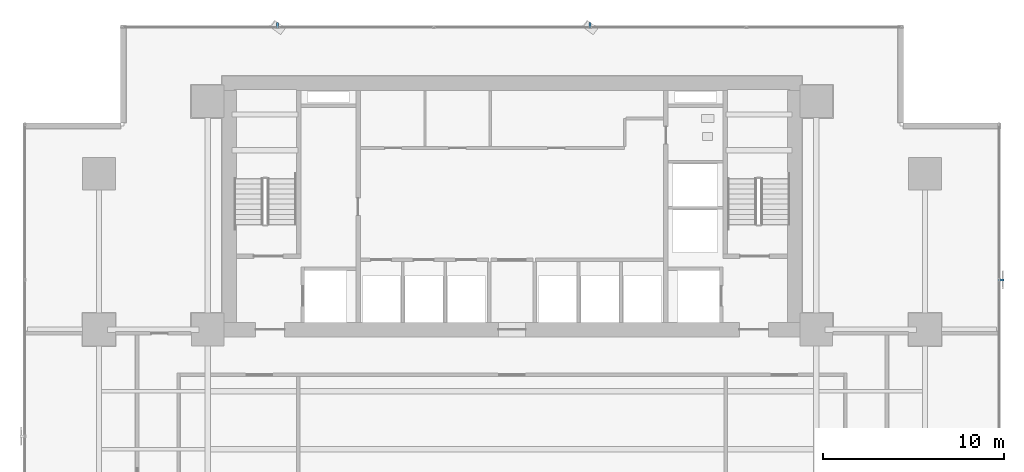
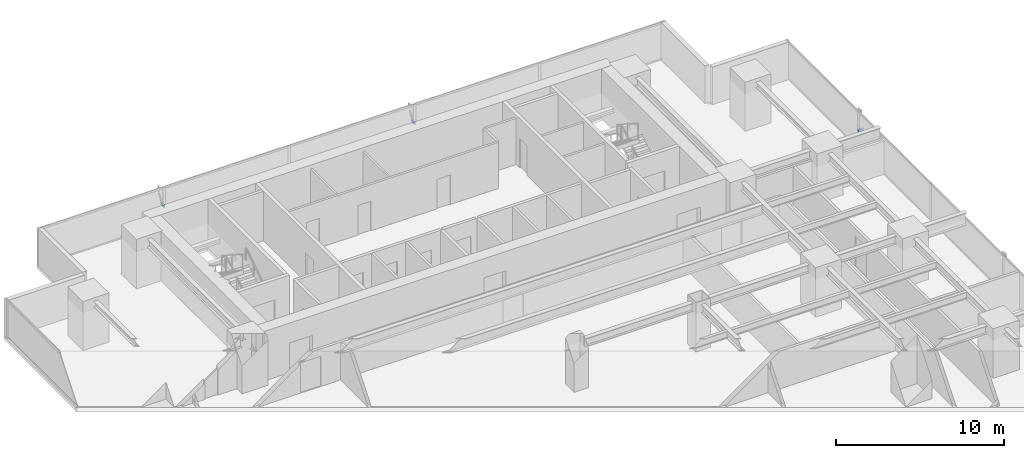
# One storey, part 28 of 33: 3 discrete accessories.
"""IFC4 building model written with IfcOpenShell, lengths in metres."""

import ifcopenshell
import ifcopenshell.guid

model = None  # the IFC model being written
_history = None  # IfcOwnerHistory: only IFC2X3 demands one
_inside = {}  # id of a spatial element -> (the spatial element, [elements in it])
_under = {}  # id of a project, library or spatial element -> (it, [spatial elements below it])
_declared = {}  # id of a project -> (the project, [libraries it declares])
_typed = {}  # id of a type object -> (the type object, [elements of that type])
_made_of = {}  # id of a material, layer set ... -> (it, [elements and type objects made of it])


def new_model(schema):
    """Start an empty IFC model of exactly this schema.

    Asked for "IFC4X3", IfcOpenShell would pick the latest addendum, in which some entities
    have other attributes; the version numbers below select the first issue.
    IFC2X3 requires an IfcOwnerHistory on every rooted entity: one is made here for all.
    """
    global model, _history
    if schema == "IFC4X3":
        model = ifcopenshell.file(schema_version=(4, 3, 0, 0))
    else:
        model = ifcopenshell.file(schema=schema)
    _inside.clear()
    _under.clear()
    _declared.clear()
    _typed.clear()
    _made_of.clear()
    _history = None
    if model.schema == "IFC2X3":
        org = make("IfcOrganization", Name="unknown")
        user = make(
            "IfcPersonAndOrganization",
            ThePerson=make("IfcPerson", FamilyName="unknown"),
            TheOrganization=org,
        )
        app = make(
            "IfcApplication",
            ApplicationDeveloper=org,
            Version="unknown",
            ApplicationFullName="unknown",
            ApplicationIdentifier="unknown",
        )
        _history = make(
            "IfcOwnerHistory",
            OwningUser=user,
            OwningApplication=app,
            ChangeAction="ADDED",
            CreationDate=0,
        )
    return model


def make(cls, **values):
    """One entity of the class cls with the attributes given. An attribute that is None is left unset."""
    return model.create_entity(
        cls, **{name: value for name, value in values.items() if value is not None}
    )


def rooted(cls, **values):
    """An entity with a GlobalId (a new one), such as an element, a storey or a relation."""
    return make(cls, GlobalId=ifcopenshell.guid.new(), OwnerHistory=_history, **values)


def si_unit(unit_type, name, prefix=None):
    """IfcSIUnit, for example si_unit("LENGTHUNIT", "METRE", prefix="MILLI")."""
    return make("IfcSIUnit", UnitType=unit_type, Prefix=prefix, Name=name)


def assignment(units):
    """IfcUnitAssignment: the units of a project."""
    return None if units is None else make("IfcUnitAssignment", Units=units)


def point(xyz):
    """IfcCartesianPoint."""
    return None if xyz is None else make("IfcCartesianPoint", Coordinates=xyz)


def direction(xyz):
    """IfcDirection."""
    return None if xyz is None else make("IfcDirection", DirectionRatios=xyz)


def frame(location, z_axis=None, x_axis=None):
    """IfcAxis2Placement3D, a coordinate frame: its origin and axes. An axis left out is left unset."""
    return make(
        "IfcAxis2Placement3D",
        Location=point(location),
        Axis=direction(z_axis),
        RefDirection=direction(x_axis),
    )


def frame_2d(location, x_axis=None):
    """IfcAxis2Placement2D, a coordinate frame in the plane: its origin and x axis."""
    return make(
        "IfcAxis2Placement2D", Location=point(location), RefDirection=direction(x_axis)
    )


def origin():
    """The frame at (0, 0, 0) with its axes left unset."""
    return frame((0.0, 0.0, 0.0))


def origin_2d():
    """The frame at (0, 0) in the plane with its x axis left unset."""
    return frame_2d((0.0, 0.0))


def place(relative_to, where):
    """IfcLocalPlacement: puts the frame where relative to a parent placement (None: the world)."""
    return make(
        "IfcLocalPlacement", PlacementRelTo=relative_to, RelativePlacement=where
    )


def context(
    kind, dimensions, precision=None, world=None, true_north=None, identifier=None
):
    """IfcGeometricRepresentationContext, for example the 3D "Model" context."""
    return make(
        "IfcGeometricRepresentationContext",
        ContextIdentifier=identifier,
        ContextType=kind,
        CoordinateSpaceDimension=dimensions,
        Precision=precision,
        WorldCoordinateSystem=world,
        TrueNorth=true_north,
    )


def subcontext(parent, identifier, kind, view, scale=None):
    """IfcGeometricRepresentationSubContext, for example "Body" below "Model"."""
    return make(
        "IfcGeometricRepresentationSubContext",
        ContextIdentifier=identifier,
        ContextType=kind,
        ParentContext=parent,
        TargetScale=scale,
        TargetView=view,
    )


def project(units=None, contexts=None):
    """IfcProject with its units and contexts."""
    return rooted(
        "IfcProject",
        Name="project",
        RepresentationContexts=contexts,
        UnitsInContext=assignment(units),
    )


def spatial(cls, under=None, at=None, **own):
    """A site, building, storey or space (cls), placed at a placement, below another one or the project."""
    s = rooted(cls, ObjectPlacement=at, **own)
    if under is not None:
        _under.setdefault(under.id(), (under, []))[1].append(s)
    return s


def profile(cls, at=None, kind="AREA", **sizes):
    """A parametric profile (cls). Its sizes go by their IFC names, for example OverallWidth=200.0."""
    return make(cls, ProfileType=kind, Position=at, **sizes)


def rectangle(**sizes):
    """IfcRectangleProfileDef."""
    return profile("IfcRectangleProfileDef", **sizes)


def extrude(swept, where, along, depth):
    """IfcExtrudedAreaSolid: the profile swept, set in the frame where, extruded along a direction by depth."""
    return make(
        "IfcExtrudedAreaSolid",
        SweptArea=swept,
        Position=where,
        ExtrudedDirection=direction(along),
        Depth=depth,
    )


def shape(context_of_items, identifier, shape_type, items):
    """IfcShapeRepresentation: the items that make up one representation, for example the "Body"."""
    return make(
        "IfcShapeRepresentation",
        ContextOfItems=context_of_items,
        RepresentationIdentifier=identifier,
        RepresentationType=shape_type,
        Items=items,
    )


def source(mapping_origin, context_of_items, identifier, shape_type, items):
    """IfcRepresentationMap: a shape defined once, which mapped items show again and again."""
    return make(
        "IfcRepresentationMap",
        MappingOrigin=mapping_origin,
        MappedRepresentation=shape(context_of_items, identifier, shape_type, items),
    )


def transform(
    local_origin,
    x_axis=None,
    y_axis=None,
    z_axis=None,
    scale=None,
    scale2=None,
    scale3=None,
    uniform=True,
):
    """IfcCartesianTransformationOperator3D, or its non-uniform kind. x_axis, y_axis, z_axis: its Axis1, 2, 3."""
    if uniform:
        return make(
            "IfcCartesianTransformationOperator3D",
            Axis1=direction(x_axis),
            Axis2=direction(y_axis),
            LocalOrigin=point(local_origin),
            Scale=scale,
            Axis3=direction(z_axis),
        )
    return make(
        "IfcCartesianTransformationOperator3DnonUniform",
        Axis1=direction(x_axis),
        Axis2=direction(y_axis),
        LocalOrigin=point(local_origin),
        Scale=scale,
        Axis3=direction(z_axis),
        Scale2=scale2,
        Scale3=scale3,
    )


def mapped(mapping_source, mapping_target):
    """IfcMappedItem: shows the shape of a source again, moved by a transform."""
    return make(
        "IfcMappedItem", MappingSource=mapping_source, MappingTarget=mapping_target
    )


def material(Name=None, Category=None):
    """IfcMaterial."""
    return make("IfcMaterial", Name=Name, Category=Category)


def material_profile(
    of_material, cross_section, Name=None, Category=None, Priority=None
):
    """IfcMaterialProfile: a cross section and its material."""
    return make(
        "IfcMaterialProfile",
        Name=Name,
        Material=of_material,
        Profile=cross_section,
        Priority=Priority,
        Category=Category,
    )


def profile_set(profiles, Name=None, composite=None):
    """IfcMaterialProfileSet."""
    return make(
        "IfcMaterialProfileSet",
        Name=Name,
        MaterialProfiles=profiles,
        CompositeProfile=composite,
    )


def made_of(thing, what):
    """Note that an element or type object is made of a material, layer set ...; save() writes the relation."""
    if what is not None:
        _made_of.setdefault(what.id(), (what, []))[1].append(thing)
    return thing


def type_object(cls, material=None, **own):
    """A type object (cls), such as IfcWallType, which elements share."""
    return made_of(rooted(cls, **own), material)


def element(
    cls,
    number,
    at=None,
    inside=None,
    cuts=None,
    type_object=None,
    material=None,
    context=None,
    identifier="Body",
    shape_type=None,
    held_by="IfcProductDefinitionShape",
    body=None,
    shapes=None,
    **own,
):
    """One element of the class cls, such as IfcWall. Its Tag is "e" and its number.

    at: its placement. inside: the storey or other place that contains it. cuts: it is an
    opening in that element (IfcRelVoidsElement). A single representation is given by context,
    identifier, shape_type and body (its items); several are given by shapes. held_by: the class
    of the entity that holds the representations. save() writes the other relations.
    """
    e = rooted(cls, Tag="e%d" % number, ObjectPlacement=at, **own)
    if body is not None:
        shapes = [shape(context, identifier, shape_type, body)]
    if shapes is not None:
        e.Representation = make(held_by, Representations=shapes)
    if inside is not None:
        _inside.setdefault(inside.id(), (inside, []))[1].append(e)
    if cuts is not None:
        rooted(
            "IfcRelVoidsElement", RelatingBuildingElement=cuts, RelatedOpeningElement=e
        )
    if type_object is not None:
        _typed.setdefault(type_object.id(), (type_object, []))[1].append(e)
    return made_of(e, material)


def aggregate(whole, parts):
    """IfcRelAggregates: a whole, such as a stair, and the parts it consists of."""
    return rooted("IfcRelAggregates", RelatingObject=whole, RelatedObjects=parts)


def save(model, path):
    """Write the relations noted so far, then the file.

    IfcRelAggregates (storeys below a building ...), IfcRelContainedInSpatialStructure (elements
    in a storey), IfcRelDefinesByType, IfcRelAssociatesMaterial and IfcRelDeclares: one each for
    every whole, place, type object, material and project.
    """
    for whole, parts in _under.values():
        aggregate(whole, parts)
    for where, things in _inside.values():
        rooted(
            "IfcRelContainedInSpatialStructure",
            RelatedElements=things,
            RelatingStructure=where,
        )
    for kind, things in _typed.values():
        rooted("IfcRelDefinesByType", RelatedObjects=things, RelatingType=kind)
    for what, things in _made_of.values():
        rooted("IfcRelAssociatesMaterial", RelatedObjects=things, RelatingMaterial=what)
    for by, libraries in _declared.values():
        rooted("IfcRelDeclares", RelatingContext=by, RelatedDefinitions=libraries)
    model.write(path)


model = new_model("IFC4")

# Units and contexts
model_context = context("Model", 3, precision=1e-05, world=origin(), true_north=direction((0.0, 1.0)))
body_context = subcontext(model_context, "Body", "Model", "MODEL_VIEW")
ifc_project = project(units=[si_unit("LENGTHUNIT", "METRE"), si_unit("AREAUNIT", "SQUARE_METRE"), si_unit("VOLUMEUNIT", "CUBIC_METRE"), si_unit("PLANEANGLEUNIT", "RADIAN"), si_unit("MASSUNIT", "GRAM", prefix="KILO")], contexts=[model_context])

# Site, building, storey
site_placement = place(None, origin())
site = spatial("IfcSite", under=ifc_project, at=site_placement, CompositionType="ELEMENT")
building_placement = place(site_placement, origin())
building = spatial("IfcBuilding", under=site, at=building_placement, Name="Sumidabori Civic Tower", CompositionType="ELEMENT")
storey_placement = place(building_placement, frame((0.0, 0.0, 63.199951171875)))
storey = spatial("IfcBuildingStorey", under=building, at=storey_placement, Name="L16", CompositionType="ELEMENT", Elevation=63.199951171875)

# Discrete accessories
ifc_material = material(Name="Stainless Steel Hairline Finish", Category="steel")
ifc_material_profile = material_profile(ifc_material, rectangle(XDim=0.1201171875, YDim=0.179931640625, at=origin_2d()), Name="STEEL BRACKET 180x120")
ifc_profile_set = profile_set([ifc_material_profile], Name="Stainless Steel Hairline Finish")
discrete_accessory_type = type_object("IfcDiscreteAccessoryType", Name="AC-BRK-180", PredefinedType="BRACKET", material=ifc_profile_set)
shared_shape = source(origin(), body_context, "Body", "SweptSolid", [
    extrude(rectangle(XDim=0.1201171875, YDim=0.179931640625, at=origin_2d()), origin(), (0.0, 0.0, 1.0), 0.329833984375),
])
for number, where, z_axis, x_axis, name in (
    (1, (26.830078125, 12.94189453125, 1.360107421875), (1.0, 0.0, 0.0), (0.0, 1.0, 0.0), "Bronze Fin Fixing Bracket L16-04"),
    (2, (4.31396484375, 26.830078125, 1.360107421875), (0.0, 1.0, 0.0), (-1.0, 0.0, 0.0), "Bronze Fin Fixing Bracket L16-02"),
    (3, (-12.94189453125, 26.830078125, 1.360107421875), (0.0, 1.0, 0.0), (-1.0, 0.0, 0.0), "Bronze Fin Fixing Bracket L16-04"),
):
    element("IfcDiscreteAccessory", number, at=place(storey_placement, frame(where, z_axis=z_axis, x_axis=x_axis)), inside=storey, type_object=discrete_accessory_type, Name=name, PredefinedType="BRACKET", context=body_context, shape_type="MappedRepresentation", body=[
        mapped(shared_shape, transform((0.0, 0.0, 0.0), x_axis=(1.0, 0.0, 0.0), y_axis=(0.0, 1.0, 0.0), z_axis=(0.0, 0.0, 1.0), scale=1.0)),
    ])

save(model, "model.ifc")
